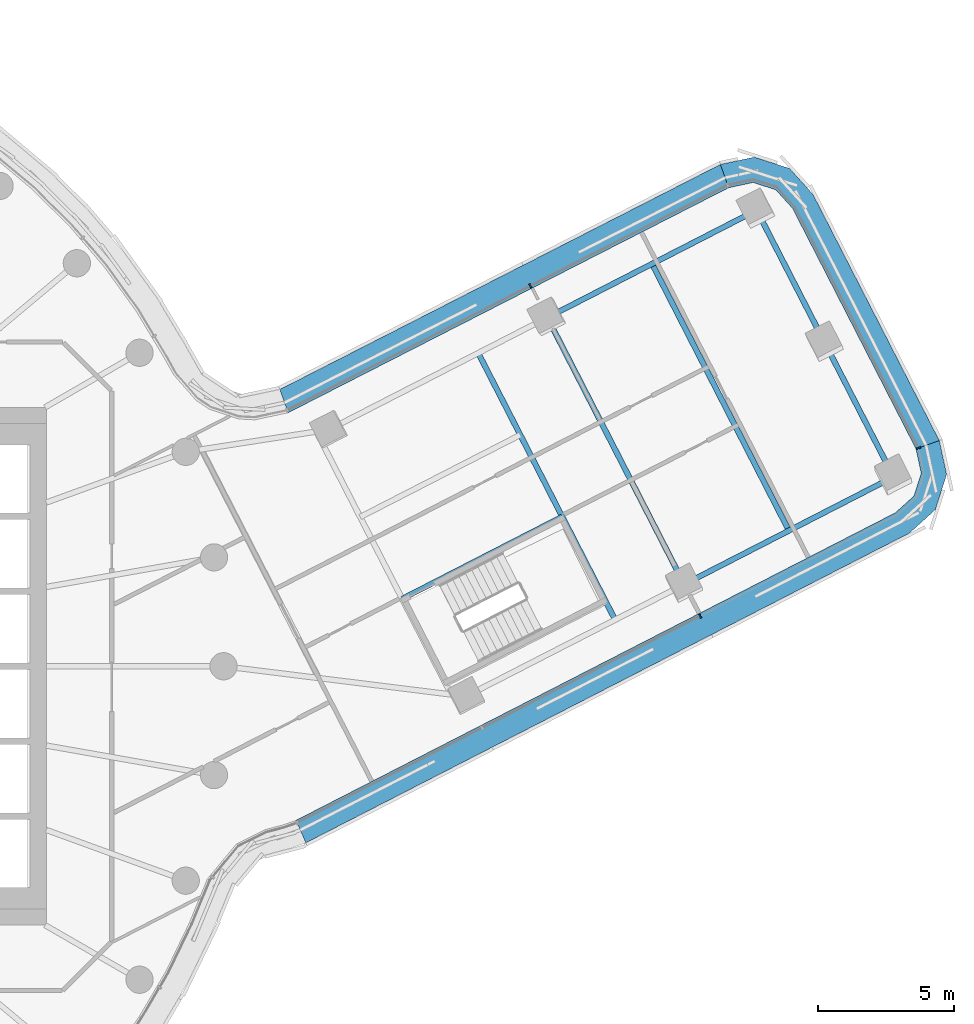
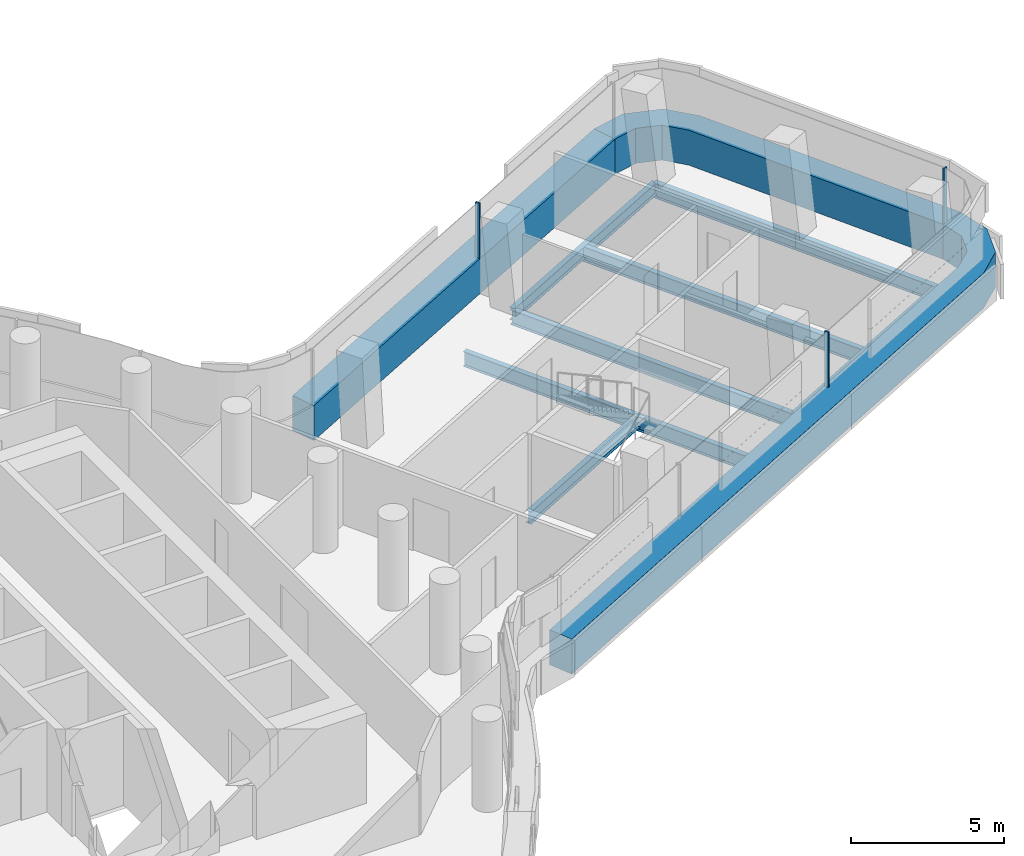
# One storey, part 13 of 37: 8 beams, 6 members, 3 elements without a shape of their own.
"""IFC4 building model written with IfcOpenShell, lengths in metres."""

from ifc_helpers import new_model, si_unit, direction, frame, origin, origin_2d, place, context, subcontext, project, spatial, polyline, rectangle, i_section, outline, extrude, material, layer, layer_set, material_profile, profile_set, type_object, element, aggregate, save


model = new_model("IFC4")

# Units and contexts
model_context = context("Model", 3, precision=1e-05, world=origin(), true_north=direction((0.0, 1.0)))
body_context = subcontext(model_context, "Body", "Model", "MODEL_VIEW")
ifc_project = project(units=[si_unit("LENGTHUNIT", "METRE"), si_unit("AREAUNIT", "SQUARE_METRE"), si_unit("VOLUMEUNIT", "CUBIC_METRE"), si_unit("PLANEANGLEUNIT", "RADIAN"), si_unit("MASSUNIT", "GRAM", prefix="KILO")], contexts=[model_context])

# Site, building, storey
site_placement = place(None, origin())
site = spatial("IfcSite", under=ifc_project, at=site_placement, CompositionType="ELEMENT")
building_placement = place(site_placement, origin())
building = spatial("IfcBuilding", under=site, at=building_placement, Name="Tamarind Cross Interchange Tower", CompositionType="ELEMENT")
storey_placement = place(building_placement, frame((0.0, 0.0, 133.0)))
storey = spatial("IfcBuildingStorey", under=building, at=storey_placement, Name="L32", CompositionType="ELEMENT", Elevation=133.0)

# Beams
ifc_material_1 = material(Name="Steel Q355B", Category="steel")
ifc_material_profile_1 = material_profile(ifc_material_1, i_section(OverallWidth=0.198974609375, OverallDepth=0.49609375, WebThickness=0.009033203125, FlangeThickness=0.013916015625, FilletRadius=0.012939453125, at=origin_2d()), Name="HN 496x199x9x14")
ifc_profile_set_1 = profile_set([ifc_material_profile_1], Name="Steel Q355B")
beam_type_1 = type_object("IfcBeamType", Name="Composite beam HN 496x199x9x14 Q355B", PredefinedType="BEAM", material=ifc_profile_set_1)
beam_1_placement = place(storey_placement, frame((47.58251953125, 6.946044921875, -0.387939453125), z_axis=(-0.88969434229, -0.456556652888, 0.0), x_axis=(0.456556652888, -0.88969434229, 0.0)))
element("IfcBeam", 1, at=beam_1_placement, inside=storey, type_object=beam_type_1, Name="Beam E-edgeem5", PredefinedType="BEAM", context=body_context, shape_type="SweptSolid", body=[
    extrude(i_section(OverallWidth=0.198974609375, OverallDepth=0.49609375, WebThickness=0.009033203125, FlangeThickness=0.013916015625, FilletRadius=0.012939453125, at=origin_2d()), origin(), (0.0, 0.0, 1.0), 8.6318359375),
])
beam_2_placement = place(storey_placement, frame((42.560546875, 16.732666015625, -0.387939453125), z_axis=(-0.88970023765, -0.456545164388, 0.0), x_axis=(0.456545164388, -0.88970023765, 0.0)))
element("IfcBeam", 2, at=beam_2_placement, inside=storey, type_object=beam_type_1, Name="Beam E-edgeep2", PredefinedType="BEAM", context=body_context, shape_type="SweptSolid", body=[
    extrude(i_section(OverallWidth=0.198974609375, OverallDepth=0.49609375, WebThickness=0.009033203125, FlangeThickness=0.013916015625, FilletRadius=0.012939453125, at=origin_2d()), origin(), (0.0, 0.0, 1.0), 8.632080078125),
])
beam_3_placement = place(storey_placement, frame((29.554931640625, 2.471923828125, -0.387939453125), z_axis=(0.889694958501, 0.456555452073, 0.0), x_axis=(-0.456555452073, 0.889694958501, 0.0)))
element("IfcBeam", 3, at=beam_3_placement, inside=storey, type_object=beam_type_1, Name="Beam E-tr1", PredefinedType="BEAM", context=body_context, shape_type="SweptSolid", body=[
    extrude(i_section(OverallWidth=0.198974609375, OverallDepth=0.49609375, WebThickness=0.009033203125, FlangeThickness=0.013916015625, FilletRadius=0.012939453125, at=origin_2d()), origin(), (0.0, 0.0, 1.0), 6.599853515625),
])
ifc_material_profile_2 = material_profile(ifc_material_1, i_section(OverallWidth=0.199951171875, OverallDepth=0.60009765625, WebThickness=0.010986328125, FlangeThickness=0.01708984375, FilletRadius=0.012939453125, at=origin_2d()), Name="HN 600x200x11x17")
ifc_profile_set_2 = profile_set([ifc_material_profile_2], Name="Steel Q355B")
beam_type_2 = type_object("IfcBeamType", Name="Composite beam HN 600x200x11x17 Q355B", PredefinedType="BEAM", material=ifc_profile_set_2)
for number, where, z_axis, x_axis, name in (
    (4, (47.58251953125, 6.946044921875, -0.43994140625), (-0.456546436643, 0.889699584797, 0.0), (-0.889699584797, -0.456546436643, 0.0), "Beam E-tip0"),
    (5, (45.071533203125, 11.83935546875, -0.43994140625), (-0.456546436643, 0.889699584797, 0.0), (-0.889699584797, -0.456546436643, 0.0), "Beam E-tip1"),
):
    element("IfcBeam", number, at=place(storey_placement, frame(where, z_axis=z_axis, x_axis=x_axis)), inside=storey, type_object=beam_type_2, Name=name, PredefinedType="BEAM", context=body_context, shape_type="SweptSolid", body=[
        extrude(i_section(OverallWidth=0.199951171875, OverallDepth=0.60009765625, WebThickness=0.010986328125, FlangeThickness=0.01708984375, FilletRadius=0.012939453125, at=origin_2d()), origin(), (0.0, 0.0, 1.0), 5.5),
    ])
for number, where, z_axis, x_axis, name in (
    (6, (37.3671875, 1.703857421875, -0.43994140625), (-0.456564004988, 0.889690569439, 0.0), (-0.889690569439, -0.456564004988, 0.0), "Beam E-x364"),
    (7, (39.90283203125, 3.005126953125, -0.43994140625), (-0.456564004988, 0.889690569439, 0.0), (-0.889690569439, -0.456564004988, 0.0), "Beam E-x393"),
    (8, (43.74267578125, 4.9755859375, -0.43994140625), (-0.456546436643, 0.889699584797, 0.0), (-0.889699584797, -0.456546436643, 0.0), "Beam E-x436"),
):
    element("IfcBeam", number, at=place(storey_placement, frame(where, z_axis=z_axis, x_axis=x_axis)), inside=storey, type_object=beam_type_2, Name=name, PredefinedType="BEAM", context=body_context, shape_type="SweptSolid", body=[
        extrude(i_section(OverallWidth=0.199951171875, OverallDepth=0.60009765625, WebThickness=0.010986328125, FlangeThickness=0.01708984375, FilletRadius=0.012939453125, at=origin_2d()), origin(), (0.0, 0.0, 1.0), 11.0),
    ])

# Curtain wall, member
ifc_material_2 = material(Name="Aluminium 6063-T6", Category="aluminium")
ifc_layer = layer(ifc_material_2, 0.159912109375)
ifc_layer_set = layer_set([ifc_layer], Name="Aluminium 6063-T6")
curtain_wall_type = type_object("IfcCurtainWallType", Name="Office curtain wall, 9.0 m bays", PredefinedType="NOTDEFINED", material=ifc_layer_set)
curtain_wall_1_placement = place(storey_placement, origin())
curtain_wall_1 = element("IfcCurtainWall", 9, at=curtain_wall_1_placement, inside=storey, type_object=curtain_wall_type, Name="CWS-L32-07", PredefinedType="NOTDEFINED")
ifc_material_3 = material(Name="Aluminium and insulated spandrel panel", Category="aluminium")
member_type_1 = type_object("IfcMemberType", Name="Floor-edge blade transom", PredefinedType="USERDEFINED", material=ifc_material_3)
member_1_placement = place(storey_placement, origin())
member_1 = element("IfcMember", 10, at=member_1_placement, type_object=member_type_1, Name="CWT-L32-07", ObjectType="TRANSOM", PredefinedType="USERDEFINED", context=body_context, shape_type="SweptSolid", body=[
    extrude(outline(polyline([(25.662109375, -5.6513671875), (47.650390625, 5.632080078125), (48.3291015625, 6.24658203125), (48.596923828125, 7.078857421875), (48.404052734375, 7.973876953125), (49.2587890625, 8.279296875), (49.52734375, 7.032958984375), (49.11181640625, 5.7412109375), (48.166748046875, 4.88525390625), (26.0205078125, -6.47900390625), (25.662109375, -5.6513671875)])), origin(), (0.0, 0.0, 1.0), 1.39990234375),
])

curtain_wall_2_placement = place(storey_placement, origin())
curtain_wall_2 = element("IfcCurtainWall", 11, at=curtain_wall_2_placement, inside=storey, type_object=curtain_wall_type, Name="CWS-L32-08", PredefinedType="NOTDEFINED")
member_2_placement = place(storey_placement, origin())
member_2 = element("IfcMember", 12, at=member_2_placement, type_object=member_type_1, Name="CWT-L32-08", ObjectType="TRANSOM", PredefinedType="USERDEFINED", context=body_context, shape_type="SweptSolid", body=[
    extrude(outline(polyline([(48.404052734375, 7.973876953125), (43.87451171875, 16.800537109375), (43.260009765625, 17.47900390625), (42.427490234375, 17.746826171875), (41.532470703125, 17.553955078125), (41.227783203125, 18.408935546875), (42.4736328125, 18.677490234375), (43.76513671875, 18.261962890625), (44.62109375, 17.31689453125), (49.2587890625, 8.279296875), (48.404052734375, 7.973876953125)])), origin(), (0.0, 0.0, 1.0), 1.39990234375),
])

curtain_wall_3_placement = place(storey_placement, origin())
curtain_wall_3 = element("IfcCurtainWall", 13, at=curtain_wall_3_placement, inside=storey, type_object=curtain_wall_type, Name="CWS-L32-09", PredefinedType="NOTDEFINED")
member_3_placement = place(storey_placement, origin())
member_3 = element("IfcMember", 14, at=member_3_placement, type_object=member_type_1, Name="CWT-L32-09", ObjectType="TRANSOM", PredefinedType="USERDEFINED", context=body_context, shape_type="SweptSolid", body=[
    extrude(outline(polyline([(41.532470703125, 17.553955078125), (25.368408203125, 9.29833984375), (25.065185546875, 10.154052734375), (41.227783203125, 18.408935546875), (41.532470703125, 17.553955078125)])), origin(), (0.0, 0.0, 1.0), 1.39990234375),
])

# Member
ifc_material_profile_3 = material_profile(ifc_material_2, rectangle(XDim=0.06005859375, YDim=0.159912109375, at=origin_2d()), Name="Mullion CW1")
ifc_profile_set_3 = profile_set([ifc_material_profile_3], Name="Aluminium 6063-T6")
member_type_2 = type_object("IfcMemberType", Name="Mullion CW1", PredefinedType="MULLION", material=ifc_profile_set_3)
member_4_placement = place(storey_placement, frame((40.484375, 1.84228515625, 1.39990234375), z_axis=(0.0, 0.0, 1.0), x_axis=(0.889697026233, 0.456551422638, 0.0)))
member_4 = element("IfcMember", 15, at=member_4_placement, type_object=member_type_2, Name="CWM-L32-07-02", PredefinedType="MULLION", context=body_context, shape_type="SweptSolid", body=[
    extrude(rectangle(XDim=0.06005859375, YDim=0.159912109375, at=origin_2d()), origin(), (0.0, 0.0, 1.0), 2.210205078125),
])

aggregate(curtain_wall_1, [member_4, member_1])

member_5_placement = place(storey_placement, frame((48.4990234375, 8.0078125, 1.39990234375), z_axis=(0.0, 0.0, 1.0), x_axis=(-0.336516796863, 0.941677463588, 0.0)))
member_5 = element("IfcMember", 16, at=member_5_placement, type_object=member_type_2, Name="CWM-L32-08-00", PredefinedType="MULLION", context=body_context, shape_type="SweptSolid", body=[
    extrude(rectangle(XDim=0.06005859375, YDim=0.159912109375, at=origin_2d()), origin(), (0.0, 0.0, 1.0), 2.210205078125),
])

aggregate(curtain_wall_2, [member_5, member_2])

member_6_placement = place(storey_placement, frame((34.25634765625, 13.949951171875, 1.39990234375), z_axis=(0.0, 0.0, 1.0), x_axis=(-0.890569845562, -0.454846512766, 0.0)))
member_6 = element("IfcMember", 17, at=member_6_placement, type_object=member_type_2, Name="CWM-L32-09-01", PredefinedType="MULLION", context=body_context, shape_type="SweptSolid", body=[
    extrude(rectangle(XDim=0.06005859375, YDim=0.159912109375, at=origin_2d()), origin(), (0.0, 0.0, 1.0), 2.210205078125),
])

aggregate(curtain_wall_3, [member_6, member_3])

save(model, "model.ifc")
